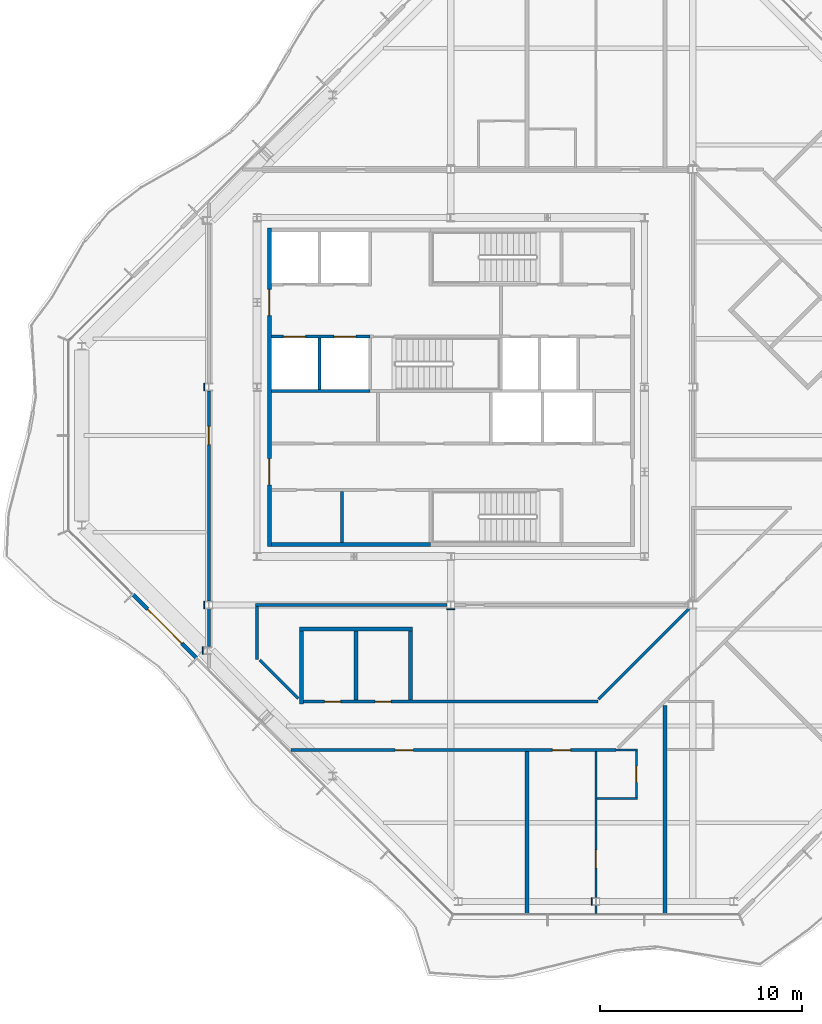
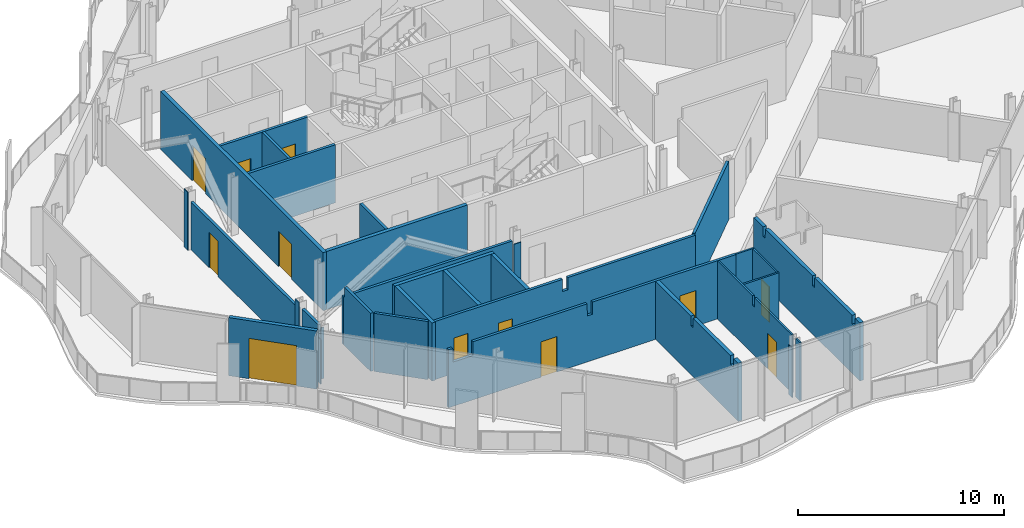
# One storey, part 7 of 16: 31 walls, 12 doors, 12 openings.
"""IFC4 building model written with IfcOpenShell, lengths in metres."""

import ifcopenshell
import ifcopenshell.guid

model = None  # the IFC model being written
_history = None  # IfcOwnerHistory: only IFC2X3 demands one
_inside = {}  # id of a spatial element -> (the spatial element, [elements in it])
_under = {}  # id of a project, library or spatial element -> (it, [spatial elements below it])
_declared = {}  # id of a project -> (the project, [libraries it declares])
_typed = {}  # id of a type object -> (the type object, [elements of that type])
_made_of = {}  # id of a material, layer set ... -> (it, [elements and type objects made of it])


def new_model(schema):
    """Start an empty IFC model of exactly this schema.

    Asked for "IFC4X3", IfcOpenShell would pick the latest addendum, in which some entities
    have other attributes; the version numbers below select the first issue.
    IFC2X3 requires an IfcOwnerHistory on every rooted entity: one is made here for all.
    """
    global model, _history
    if schema == "IFC4X3":
        model = ifcopenshell.file(schema_version=(4, 3, 0, 0))
    else:
        model = ifcopenshell.file(schema=schema)
    _inside.clear()
    _under.clear()
    _declared.clear()
    _typed.clear()
    _made_of.clear()
    _history = None
    if model.schema == "IFC2X3":
        org = make("IfcOrganization", Name="unknown")
        user = make(
            "IfcPersonAndOrganization",
            ThePerson=make("IfcPerson", FamilyName="unknown"),
            TheOrganization=org,
        )
        app = make(
            "IfcApplication",
            ApplicationDeveloper=org,
            Version="unknown",
            ApplicationFullName="unknown",
            ApplicationIdentifier="unknown",
        )
        _history = make(
            "IfcOwnerHistory",
            OwningUser=user,
            OwningApplication=app,
            ChangeAction="ADDED",
            CreationDate=0,
        )
    return model


def make(cls, **values):
    """One entity of the class cls with the attributes given. An attribute that is None is left unset."""
    return model.create_entity(
        cls, **{name: value for name, value in values.items() if value is not None}
    )


def rooted(cls, **values):
    """An entity with a GlobalId (a new one), such as an element, a storey or a relation."""
    return make(cls, GlobalId=ifcopenshell.guid.new(), OwnerHistory=_history, **values)


def si_unit(unit_type, name, prefix=None):
    """IfcSIUnit, for example si_unit("LENGTHUNIT", "METRE", prefix="MILLI")."""
    return make("IfcSIUnit", UnitType=unit_type, Prefix=prefix, Name=name)


def assignment(units):
    """IfcUnitAssignment: the units of a project."""
    return None if units is None else make("IfcUnitAssignment", Units=units)


def point(xyz):
    """IfcCartesianPoint."""
    return None if xyz is None else make("IfcCartesianPoint", Coordinates=xyz)


def direction(xyz):
    """IfcDirection."""
    return None if xyz is None else make("IfcDirection", DirectionRatios=xyz)


def frame(location, z_axis=None, x_axis=None):
    """IfcAxis2Placement3D, a coordinate frame: its origin and axes. An axis left out is left unset."""
    return make(
        "IfcAxis2Placement3D",
        Location=point(location),
        Axis=direction(z_axis),
        RefDirection=direction(x_axis),
    )


def frame_2d(location, x_axis=None):
    """IfcAxis2Placement2D, a coordinate frame in the plane: its origin and x axis."""
    return make(
        "IfcAxis2Placement2D", Location=point(location), RefDirection=direction(x_axis)
    )


def origin():
    """The frame at (0, 0, 0) with its axes left unset."""
    return frame((0.0, 0.0, 0.0))


def place(relative_to, where):
    """IfcLocalPlacement: puts the frame where relative to a parent placement (None: the world)."""
    return make(
        "IfcLocalPlacement", PlacementRelTo=relative_to, RelativePlacement=where
    )


def context(
    kind, dimensions, precision=None, world=None, true_north=None, identifier=None
):
    """IfcGeometricRepresentationContext, for example the 3D "Model" context."""
    return make(
        "IfcGeometricRepresentationContext",
        ContextIdentifier=identifier,
        ContextType=kind,
        CoordinateSpaceDimension=dimensions,
        Precision=precision,
        WorldCoordinateSystem=world,
        TrueNorth=true_north,
    )


def subcontext(parent, identifier, kind, view, scale=None):
    """IfcGeometricRepresentationSubContext, for example "Body" below "Model"."""
    return make(
        "IfcGeometricRepresentationSubContext",
        ContextIdentifier=identifier,
        ContextType=kind,
        ParentContext=parent,
        TargetScale=scale,
        TargetView=view,
    )


def project(units=None, contexts=None):
    """IfcProject with its units and contexts."""
    return rooted(
        "IfcProject",
        Name="project",
        RepresentationContexts=contexts,
        UnitsInContext=assignment(units),
    )


def spatial(cls, under=None, at=None, **own):
    """A site, building, storey or space (cls), placed at a placement, below another one or the project."""
    s = rooted(cls, ObjectPlacement=at, **own)
    if under is not None:
        _under.setdefault(under.id(), (under, []))[1].append(s)
    return s


def polyline(points):
    """IfcPolyline through the points."""
    return make("IfcPolyline", Points=[point(p) for p in points])


def profile(cls, at=None, kind="AREA", **sizes):
    """A parametric profile (cls). Its sizes go by their IFC names, for example OverallWidth=200.0."""
    return make(cls, ProfileType=kind, Position=at, **sizes)


def rectangle(**sizes):
    """IfcRectangleProfileDef."""
    return profile("IfcRectangleProfileDef", **sizes)


def outline(outer, holes=None, kind="AREA"):
    """IfcArbitraryClosedProfileDef: a profile drawn as a closed curve; with holes, ...WithVoids."""
    if holes is None:
        return make("IfcArbitraryClosedProfileDef", ProfileType=kind, OuterCurve=outer)
    return make(
        "IfcArbitraryProfileDefWithVoids",
        ProfileType=kind,
        OuterCurve=outer,
        InnerCurves=holes,
    )


def extrude(swept, where, along, depth):
    """IfcExtrudedAreaSolid: the profile swept, set in the frame where, extruded along a direction by depth."""
    return make(
        "IfcExtrudedAreaSolid",
        SweptArea=swept,
        Position=where,
        ExtrudedDirection=direction(along),
        Depth=depth,
    )


def shape(context_of_items, identifier, shape_type, items):
    """IfcShapeRepresentation: the items that make up one representation, for example the "Body"."""
    return make(
        "IfcShapeRepresentation",
        ContextOfItems=context_of_items,
        RepresentationIdentifier=identifier,
        RepresentationType=shape_type,
        Items=items,
    )


def material(Name=None, Category=None):
    """IfcMaterial."""
    return make("IfcMaterial", Name=Name, Category=Category)


def layer(
    of_material, thickness, ventilated=None, Name=None, Category=None, Priority=None
):
    """IfcMaterialLayer: one layer of a wall or slab, of a material (None: an air gap)."""
    return make(
        "IfcMaterialLayer",
        Material=of_material,
        LayerThickness=thickness,
        IsVentilated=ventilated,
        Name=Name,
        Category=Category,
        Priority=Priority,
    )


def layer_set(layers, Name=None):
    """IfcMaterialLayerSet."""
    return make("IfcMaterialLayerSet", MaterialLayers=layers, LayerSetName=Name)


def made_of(thing, what):
    """Note that an element or type object is made of a material, layer set ...; save() writes the relation."""
    if what is not None:
        _made_of.setdefault(what.id(), (what, []))[1].append(thing)
    return thing


def type_object(cls, material=None, **own):
    """A type object (cls), such as IfcWallType, which elements share."""
    return made_of(rooted(cls, **own), material)


def element(
    cls,
    number,
    at=None,
    inside=None,
    cuts=None,
    type_object=None,
    material=None,
    context=None,
    identifier="Body",
    shape_type=None,
    held_by="IfcProductDefinitionShape",
    body=None,
    shapes=None,
    **own,
):
    """One element of the class cls, such as IfcWall. Its Tag is "e" and its number.

    at: its placement. inside: the storey or other place that contains it. cuts: it is an
    opening in that element (IfcRelVoidsElement). A single representation is given by context,
    identifier, shape_type and body (its items); several are given by shapes. held_by: the class
    of the entity that holds the representations. save() writes the other relations.
    """
    e = rooted(cls, Tag="e%d" % number, ObjectPlacement=at, **own)
    if body is not None:
        shapes = [shape(context, identifier, shape_type, body)]
    if shapes is not None:
        e.Representation = make(held_by, Representations=shapes)
    if inside is not None:
        _inside.setdefault(inside.id(), (inside, []))[1].append(e)
    if cuts is not None:
        rooted(
            "IfcRelVoidsElement", RelatingBuildingElement=cuts, RelatedOpeningElement=e
        )
    if type_object is not None:
        _typed.setdefault(type_object.id(), (type_object, []))[1].append(e)
    return made_of(e, material)


def fill(opening, filler):
    """IfcRelFillsElement: the door or window that sits in an opening."""
    return rooted(
        "IfcRelFillsElement",
        RelatingOpeningElement=opening,
        RelatedBuildingElement=filler,
    )


def aggregate(whole, parts):
    """IfcRelAggregates: a whole, such as a stair, and the parts it consists of."""
    return rooted("IfcRelAggregates", RelatingObject=whole, RelatedObjects=parts)


def save(model, path):
    """Write the relations noted so far, then the file.

    IfcRelAggregates (storeys below a building ...), IfcRelContainedInSpatialStructure (elements
    in a storey), IfcRelDefinesByType, IfcRelAssociatesMaterial and IfcRelDeclares: one each for
    every whole, place, type object, material and project.
    """
    for whole, parts in _under.values():
        aggregate(whole, parts)
    for where, things in _inside.values():
        rooted(
            "IfcRelContainedInSpatialStructure",
            RelatedElements=things,
            RelatingStructure=where,
        )
    for kind, things in _typed.values():
        rooted("IfcRelDefinesByType", RelatedObjects=things, RelatingType=kind)
    for what, things in _made_of.values():
        rooted("IfcRelAssociatesMaterial", RelatedObjects=things, RelatingMaterial=what)
    for by, libraries in _declared.values():
        rooted("IfcRelDeclares", RelatingContext=by, RelatedDefinitions=libraries)
    model.write(path)


model = new_model("IFC4")

# Units and contexts
model_context = context("Model", 3, precision=1e-05, world=origin(), true_north=direction((0.0, 1.0)))
body_context = subcontext(model_context, "Body", "Model", "MODEL_VIEW")
ifc_project = project(units=[si_unit("LENGTHUNIT", "METRE"), si_unit("AREAUNIT", "SQUARE_METRE"), si_unit("VOLUMEUNIT", "CUBIC_METRE"), si_unit("PLANEANGLEUNIT", "RADIAN"), si_unit("MASSUNIT", "GRAM", prefix="KILO")], contexts=[model_context])

# Site, building, storey
site_placement = place(None, origin())
site = spatial("IfcSite", under=ifc_project, at=site_placement, CompositionType="ELEMENT")
building_placement = place(site_placement, origin())
building = spatial("IfcBuilding", under=site, at=building_placement, Name="Cairn Pilgrim Tower", CompositionType="ELEMENT")
storey_placement = place(building_placement, frame((0.0, 0.0, 285.0)))
storey = spatial("IfcBuildingStorey", under=building, at=storey_placement, Name="L73", CompositionType="ELEMENT", Elevation=285.0)

# Wall, opening, door
ifc_material_1 = material(Name="Bronze anodised aluminium insulated sandwich panel with mineral wool fill", Category="aluminium")
ifc_layer_1 = layer(ifc_material_1, 0.199951171875)
ifc_layer_set_1 = layer_set([ifc_layer_1], Name="BRONZE INFILL FRAME WALL 200")
wall_type_1 = type_object("IfcWallType", Name="BRONZE INFILL FRAME WALL 200", PredefinedType="NOTDEFINED", material=ifc_layer_set_1)
wall_1_placement = place(storey_placement, frame((-8.55322265625, -7.893310546875, 0.0), z_axis=(0.0, 0.0, 1.0), x_axis=(0.707134329907, -0.707079231393, 0.0)))
wall_1 = element("IfcWall", 1, at=wall_1_placement, inside=storey, type_object=wall_type_1, Name="Bronze infill frame wall IW-SW2", PredefinedType="NOTDEFINED", context=body_context, shape_type="SweptSolid", body=[
    extrude(rectangle(XDim=4.430908203125, YDim=0.199951171875, at=frame_2d((2.21533203125, 0.0))), origin(), (0.0, 0.0, 1.0), 3.449951171875),
])
opening_1_placement = place(wall_1_placement, frame((1.015380859375, 0.0, 0.0)))
opening_1 = element("IfcOpeningElement", 2, at=opening_1_placement, cuts=wall_1, Name="Opening 7308B2", PredefinedType="OPENING", context=body_context, shape_type="SweptSolid", body=[
    extrude(rectangle(XDim=2.39990234375, YDim=2.39990234375, at=frame_2d((1.199951171875, 1.199951171875))), frame((0.0, 0.10986328125, 0.0), z_axis=(0.0, -1.0, 0.0), x_axis=(1.0, 0.0, 0.0)), (0.0, 0.0, 1.0), 0.219970703125),
])
ifc_material_2 = material(Name="Bronze anodised aluminium frame with tinted low-E glass", Category="aluminium")
door_type_1 = type_object("IfcDoorType", Name="BALCONY SLIDING DOOR 2400x2400", OperationType="DOUBLE_DOOR_SLIDING", PredefinedType="DOOR", material=ifc_material_2)
door_1_placement = place(opening_1_placement, origin())
door_1 = element("IfcDoor", 3, at=door_1_placement, inside=storey, type_object=door_type_1, Name="Balcony sliding door 7308B2", OperationType="SINGLE_SWING_LEFT", OverallHeight=2.39990234375, OverallWidth=2.39990234375, PredefinedType="DOOR", context=body_context, shape_type="SweptSolid", body=[
    extrude(rectangle(XDim=2.39990234375, YDim=2.39990234375, at=frame_2d((1.199951171875, 1.199951171875))), frame((0.0, 0.02490234375, 0.0), z_axis=(0.0, -1.0, 0.0), x_axis=(1.0, 0.0, 0.0)), (0.0, 0.0, 1.0), 0.050048828125),
])
fill(opening_1, door_1)

# Wall
ifc_material_3 = material(Name="Concrete C32/40", Category="concrete")
ifc_layer_2 = layer(ifc_material_3, 0.199951171875)
ifc_layer_set_2 = layer_set([ifc_layer_2], Name="CORE OUTER WALL 200 EI 120")
wall_type_2 = type_object("IfcWallType", Name="CORE OUTER WALL 200 EI 120", PredefinedType="SOLIDWALL", material=ifc_layer_set_2)
wall_2_placement = place(storey_placement, frame((-1.699951171875, -5.39990234375, 0.0), z_axis=(0.0, 0.0, 1.0), x_axis=(1.0, 0.0, 0.0)))
element("IfcWall", 4, at=wall_2_placement, inside=storey, type_object=wall_type_2, Name="CW:L73:H01-1", PredefinedType="SOLIDWALL", context=body_context, shape_type="SweptSolid", body=[
    extrude(rectangle(XDim=7.89990234375, YDim=0.199951171875, at=frame_2d((3.949951171875, 0.0))), origin(), (0.0, 0.0, 1.0), 3.449951171875),
])

# Wall, openings, doors
wall_3_placement = place(storey_placement, frame((-1.800048828125, -5.5, 0.0), z_axis=(0.0, 0.0, 1.0), x_axis=(0.0, 1.0, 0.0)))
wall_3 = element("IfcWall", 5, at=wall_3_placement, inside=storey, type_object=wall_type_2, Name="CW:L73:V13", PredefinedType="SOLIDWALL", context=body_context, shape_type="SweptSolid", body=[
    extrude(rectangle(XDim=15.800048828125, YDim=0.199951171875, at=frame_2d((7.89990234375, 0.0))), origin(), (0.0, 0.0, 1.0), 3.449951171875),
])
opening_2_placement = place(wall_3_placement, frame((3.050048828125, 0.0, 0.0)))
opening_2 = element("IfcOpeningElement", 6, at=opening_2_placement, cuts=wall_3, Name="Opening CD-W1", PredefinedType="OPENING", context=body_context, shape_type="SweptSolid", body=[
    extrude(rectangle(XDim=1.300048828125, YDim=2.10009765625, at=frame_2d((0.64990234375, 1.050048828125))), frame((0.0, 0.10986328125, 0.0), z_axis=(0.0, -1.0, 0.0), x_axis=(1.0, 0.0, 0.0)), (0.0, 0.0, 1.0), 0.219970703125),
])
opening_3_placement = place(wall_3_placement, frame((11.449951171875, 0.0, 0.0)))
opening_3 = element("IfcOpeningElement", 7, at=opening_3_placement, cuts=wall_3, Name="Opening CD-W2", PredefinedType="OPENING", context=body_context, shape_type="SweptSolid", body=[
    extrude(rectangle(XDim=1.300048828125, YDim=2.10009765625, at=frame_2d((0.64990234375, 1.050048828125))), frame((0.0, 0.10986328125, 0.0), z_axis=(0.0, -1.0, 0.0), x_axis=(1.0, 0.0, 0.0)), (0.0, 0.0, 1.0), 0.219970703125),
])
ifc_material_4 = material(Name="Painted steel", Category="steel")
door_type_2 = type_object("IfcDoorType", Name="CORE LOBBY DOOR 1300x2100", OperationType="DOUBLE_DOOR_SINGLE_SWING", PredefinedType="DOOR", material=ifc_material_4)
door_2_placement = place(opening_2_placement, origin())
door_2 = element("IfcDoor", 8, at=door_2_placement, inside=storey, type_object=door_type_2, Name="CD-W1", OperationType="DOUBLE_DOOR_SINGLE_SWING", OverallHeight=2.10009765625, OverallWidth=1.300048828125, PredefinedType="DOOR", context=body_context, shape_type="SweptSolid", body=[
    extrude(rectangle(XDim=1.300048828125, YDim=2.10009765625, at=frame_2d((0.64990234375, 1.050048828125))), frame((0.0, 0.02490234375, 0.0), z_axis=(0.0, -1.0, 0.0), x_axis=(1.0, 0.0, 0.0)), (0.0, 0.0, 1.0), 0.050048828125),
])
fill(opening_2, door_2)
door_3_placement = place(opening_3_placement, origin())
door_3 = element("IfcDoor", 9, at=door_3_placement, inside=storey, type_object=door_type_2, Name="CD-W2", OperationType="DOUBLE_DOOR_SINGLE_SWING", OverallHeight=2.10009765625, OverallWidth=1.300048828125, PredefinedType="DOOR", context=body_context, shape_type="SweptSolid", body=[
    extrude(rectangle(XDim=1.300048828125, YDim=2.10009765625, at=frame_2d((0.64990234375, 1.050048828125))), frame((0.0, 0.02490234375, 0.0), z_axis=(0.0, -1.0, 0.0), x_axis=(1.0, 0.0, 0.0)), (0.0, 0.0, 1.0), 0.050048828125),
])
fill(opening_3, door_3)

# Walls
ifc_layer_3 = layer(ifc_material_3, 0.14990234375)
ifc_layer_set_3 = layer_set([ifc_layer_3], Name="CORE PARTITION 150 EI 60")
wall_type_3 = type_object("IfcWallType", Name="CORE PARTITION 150 EI 60", PredefinedType="PARTITIONING", material=ifc_layer_set_3)
wall_4_placement = place(storey_placement, frame((1.800048828125, -5.300048828125, 0.0), z_axis=(0.0, 0.0, 1.0), x_axis=(0.0, 1.0, 0.0)))
element("IfcWall", 10, at=wall_4_placement, inside=storey, type_object=wall_type_3, Name="CW:L73:V16", PredefinedType="PARTITIONING", context=body_context, shape_type="SweptSolid", body=[
    extrude(rectangle(XDim=2.525146484375, YDim=0.14990234375, at=frame_2d((1.2626953125, 0.0))), origin(), (0.0, 0.0, 1.0), 3.449951171875),
])
ifc_layer_4 = layer(ifc_material_3, 0.14990234375)
ifc_layer_set_4 = layer_set([ifc_layer_4], Name="CORE SHAFT WALL 150 EI 120")
wall_type_4 = type_object("IfcWallType", Name="CORE SHAFT WALL 150 EI 120", PredefinedType="SOLIDWALL", material=ifc_layer_set_4)
wall_5_placement = place(storey_placement, frame((-1.699951171875, 2.199951171875, 0.0), z_axis=(0.0, 0.0, 1.0), x_axis=(1.0, 0.0, 0.0)))
element("IfcWall", 11, at=wall_5_placement, inside=storey, type_object=wall_type_4, Name="CW:L73:H07-1", PredefinedType="SOLIDWALL", context=body_context, shape_type="SweptSolid", body=[
    extrude(rectangle(XDim=4.89990234375, YDim=0.14990234375, at=frame_2d((2.449951171875, 0.0))), origin(), (0.0, 0.0, 1.0), 3.449951171875),
])

# Wall, openings, doors
wall_6_placement = place(storey_placement, frame((-1.699951171875, 4.89990234375, 0.0), z_axis=(0.0, 0.0, 1.0), x_axis=(1.0, 0.0, 0.0)))
wall_6 = element("IfcWall", 12, at=wall_6_placement, inside=storey, type_object=wall_type_4, Name="CW:L73:H09-1", PredefinedType="SOLIDWALL", context=body_context, shape_type="SweptSolid", body=[
    extrude(rectangle(XDim=4.89990234375, YDim=0.14990234375, at=frame_2d((2.449951171875, 0.0))), origin(), (0.0, 0.0, 1.0), 3.449951171875),
])
opening_4_placement = place(wall_6_placement, frame((0.60009765625, 0.0, 0.0)))
opening_4 = element("IfcOpeningElement", 13, at=opening_4_placement, cuts=wall_6, Name="Opening LD-HR1", PredefinedType="OPENING", context=body_context, shape_type="SweptSolid", body=[
    extrude(rectangle(XDim=1.10009765625, YDim=2.10009765625, at=frame_2d((0.550048828125, 1.050048828125))), frame((0.0, 0.0849609375, 0.0), z_axis=(0.0, -1.0, 0.0), x_axis=(1.0, 0.0, 0.0)), (0.0, 0.0, 1.0), 0.169921875),
])
opening_5_placement = place(wall_6_placement, frame((3.10009765625, 0.0, 0.0)))
opening_5 = element("IfcOpeningElement", 14, at=opening_5_placement, cuts=wall_6, Name="Opening LD-HR2", PredefinedType="OPENING", context=body_context, shape_type="SweptSolid", body=[
    extrude(rectangle(XDim=1.10009765625, YDim=2.10009765625, at=frame_2d((0.550048828125, 1.050048828125))), frame((0.0, 0.0849609375, 0.0), z_axis=(0.0, -1.0, 0.0), x_axis=(1.0, 0.0, 0.0)), (0.0, 0.0, 1.0), 0.169921875),
])
ifc_material_5 = material(Name="Stainless steel", Category="steel")
door_type_3 = type_object("IfcDoorType", Name="LIFT LANDING DOOR 1100x2100", OperationType="DOUBLE_DOOR_SLIDING", PredefinedType="DOOR", material=ifc_material_5)
door_4_placement = place(opening_4_placement, origin())
door_4 = element("IfcDoor", 15, at=door_4_placement, inside=storey, type_object=door_type_3, Name="LANDING DOOR HR1", OperationType="DOUBLE_DOOR_SLIDING", OverallHeight=2.10009765625, OverallWidth=1.10009765625, PredefinedType="DOOR", context=body_context, shape_type="SweptSolid", body=[
    extrude(rectangle(XDim=1.10009765625, YDim=2.10009765625, at=frame_2d((0.550048828125, 1.050048828125))), frame((0.0, 0.02490234375, 0.0), z_axis=(0.0, -1.0, 0.0), x_axis=(1.0, 0.0, 0.0)), (0.0, 0.0, 1.0), 0.050048828125),
])
fill(opening_4, door_4)
door_5_placement = place(opening_5_placement, origin())
door_5 = element("IfcDoor", 16, at=door_5_placement, inside=storey, type_object=door_type_3, Name="LANDING DOOR HR2", OperationType="DOUBLE_DOOR_SLIDING", OverallHeight=2.10009765625, OverallWidth=1.10009765625, PredefinedType="DOOR", context=body_context, shape_type="SweptSolid", body=[
    extrude(rectangle(XDim=1.10009765625, YDim=2.10009765625, at=frame_2d((0.550048828125, 1.050048828125))), frame((0.0, 0.02490234375, 0.0), z_axis=(0.0, -1.0, 0.0), x_axis=(1.0, 0.0, 0.0)), (0.0, 0.0, 1.0), 0.050048828125),
])
fill(opening_5, door_5)

# Walls
wall_7_placement = place(storey_placement, frame((0.699951171875, 2.27490234375, 0.0), z_axis=(0.0, 0.0, 1.0), x_axis=(0.0, 1.0, 0.0)))
element("IfcWall", 17, at=wall_7_placement, inside=storey, type_object=wall_type_4, Name="CW:L73:V14", PredefinedType="SOLIDWALL", context=body_context, shape_type="SweptSolid", body=[
    extrude(rectangle(XDim=2.550048828125, YDim=0.14990234375, at=frame_2d((1.27490234375, 0.0))), origin(), (0.0, 0.0, 1.0), 3.449951171875),
])
ifc_material_6 = material(Name="Gypsum partition")
ifc_layer_5 = layer(ifc_material_6, 0.10009765625)
ifc_layer_set_5 = layer_set([ifc_layer_5], Name="PARTITION 100 DRYWALL")
wall_type_5 = type_object("IfcWallType", Name="PARTITION 100 DRYWALL", PredefinedType="PARTITIONING", material=ifc_layer_set_5)
wall_8_placement = place(storey_placement, frame((14.39990234375, -23.702880859375, 0.0), z_axis=(0.0, 0.0, 1.0), x_axis=(0.0, 1.0, 0.0)))
element("IfcWall", 18, at=wall_8_placement, inside=storey, type_object=wall_type_5, Name="PARTITION W002", PredefinedType="PARTITIONING", context=body_context, shape_type="SweptSolid", body=[
    extrude(rectangle(XDim=0.4189453125, YDim=0.10009765625, at=frame_2d((0.20947265625, 0.0))), origin(), (0.0, 0.0, 1.0), 3.449951171875),
])

# Wall, opening, door
wall_9_placement = place(storey_placement, frame((14.39990234375, -22.916015625, 0.0), z_axis=(0.0, 0.0, 1.0), x_axis=(0.0, 1.0, 0.0)))
wall_9 = element("IfcWall", 19, at=wall_9_placement, inside=storey, type_object=wall_type_5, Name="PARTITION W004", PredefinedType="PARTITIONING", context=body_context, shape_type="SweptSolid", body=[
    extrude(outline(polyline([(0.0, 0.0), (7.240966796875, 0.0), (7.240966796875, 3.449951171875), (3.821044921875, 3.449951171875), (3.819091796875, 2.8798828125), (3.611083984375, 2.8798828125), (3.60888671875, 3.449951171875), (0.0, 3.449951171875), (0.0, 0.0)])), frame((0.0, 0.050048828125, 0.0), z_axis=(0.0, -1.0, 0.0), x_axis=(1.0, 0.0, 0.0)), (0.0, 0.0, 1.0), 0.10009765625),
])
opening_6_placement = place(wall_9_placement, frame((1.466064453125, 0.0, 0.0)))
opening_6 = element("IfcOpeningElement", 20, at=opening_6_placement, cuts=wall_9, Name="Opening 7309C", PredefinedType="OPENING", context=body_context, shape_type="SweptSolid", body=[
    extrude(rectangle(XDim=0.89990234375, YDim=2.10009765625, at=frame_2d((0.449951171875, 1.050048828125))), frame((0.0, 0.06005859375, 0.0), z_axis=(0.0, -1.0, 0.0), x_axis=(1.0, 0.0, 0.0)), (0.0, 0.0, 1.0), 0.1201171875),
])
ifc_material_7 = material(Name="Timber door leaf", Category="wood")
door_type_4 = type_object("IfcDoorType", Name="SERVICE DOOR 900x2100", OperationType="NOTDEFINED", PredefinedType="DOOR", material=ifc_material_7)
door_6_placement = place(opening_6_placement, origin())
door_6 = element("IfcDoor", 21, at=door_6_placement, inside=storey, type_object=door_type_4, Name="DOOR 7309C", OperationType="SINGLE_SWING_LEFT", OverallHeight=2.10009765625, OverallWidth=0.89990234375, PredefinedType="DOOR", context=body_context, shape_type="SweptSolid", body=[
    extrude(rectangle(XDim=0.89990234375, YDim=2.10009765625, at=frame_2d((0.449951171875, 1.050048828125))), frame((0.0, 0.02490234375, 0.0), z_axis=(0.0, -1.0, 0.0), x_axis=(1.0, 0.0, 0.0)), (0.0, 0.0, 1.0), 0.050048828125),
])
fill(opening_6, door_6)

# Wall
wall_10_placement = place(storey_placement, frame((14.449951171875, -18.0, 0.0), z_axis=(0.0, 0.0, 1.0), x_axis=(1.0, 0.0, 0.0)))
element("IfcWall", 22, at=wall_10_placement, inside=storey, type_object=wall_type_5, Name="PARTITION W005", PredefinedType="PARTITIONING", context=body_context, shape_type="SweptSolid", body=[
    extrude(rectangle(XDim=2.0, YDim=0.10009765625, at=frame_2d((1.0, 0.0))), origin(), (0.0, 0.0, 1.0), 3.449951171875),
])

# Wall, opening, door
wall_11_placement = place(storey_placement, frame((16.39990234375, -17.949951171875, 0.0), z_axis=(0.0, 0.0, 1.0), x_axis=(0.0, 1.0, 0.0)))
wall_11 = element("IfcWall", 23, at=wall_11_placement, inside=storey, type_object=wall_type_5, Name="PARTITION W006", PredefinedType="PARTITIONING", context=body_context, shape_type="SweptSolid", body=[
    extrude(rectangle(XDim=2.300048828125, YDim=0.10009765625, at=frame_2d((1.14990234375, 0.0))), origin(), (0.0, 0.0, 1.0), 3.449951171875),
])
opening_7_placement = place(wall_11_placement, frame((0.75, 0.0, 0.0)))
opening_7 = element("IfcOpeningElement", 24, at=opening_7_placement, cuts=wall_11, Name="Opening 7309A", PredefinedType="OPENING", context=body_context, shape_type="SweptSolid", body=[
    extrude(rectangle(XDim=0.800048828125, YDim=2.10009765625, at=frame_2d((0.39990234375, 1.050048828125))), frame((0.0, 0.06005859375, 0.0), z_axis=(0.0, -1.0, 0.0), x_axis=(1.0, 0.0, 0.0)), (0.0, 0.0, 1.0), 0.1201171875),
])
door_type_5 = type_object("IfcDoorType", Name="WC DOOR 800x2100", OperationType="NOTDEFINED", PredefinedType="DOOR", material=ifc_material_7)
door_7_placement = place(opening_7_placement, frame((0.800048828125, 0.0, 0.0), z_axis=(0.0, 0.0, 1.0), x_axis=(-1.0, 0.0, 0.0)))
door_7 = element("IfcDoor", 25, at=door_7_placement, inside=storey, type_object=door_type_5, Name="DOOR 7309A", OperationType="SINGLE_SWING_LEFT", OverallHeight=2.10009765625, OverallWidth=0.800048828125, PredefinedType="DOOR", context=body_context, shape_type="SweptSolid", body=[
    extrude(rectangle(XDim=0.800048828125, YDim=2.10009765625, at=frame_2d((0.39990234375, 1.050048828125))), frame((0.0, 0.02490234375, 0.0), z_axis=(0.0, -1.0, 0.0), x_axis=(1.0, 0.0, 0.0)), (0.0, 0.0, 1.0), 0.050048828125),
])
fill(opening_7, door_7)

# Wall
wall_12_placement = place(storey_placement, frame((15.39404296875, -15.60009765625, 0.0), z_axis=(0.0, 0.0, 1.0), x_axis=(1.0, 0.0, 0.0)))
element("IfcWall", 26, at=wall_12_placement, inside=storey, type_object=wall_type_5, Name="PARTITION W010", PredefinedType="PARTITIONING", context=body_context, shape_type="SweptSolid", body=[
    extrude(rectangle(XDim=1.055908203125, YDim=0.10009765625, at=frame_2d((0.52783203125, 0.0))), origin(), (0.0, 0.0, 1.0), 3.449951171875),
])

# Wall, openings, doors
ifc_layer_6 = layer(ifc_material_6, 0.14990234375)
ifc_layer_set_6 = layer_set([ifc_layer_6], Name="PARTITION 150 DRYWALL EI 60")
wall_type_6 = type_object("IfcWallType", Name="PARTITION 150 DRYWALL EI 60", PredefinedType="PARTITIONING", material=ifc_layer_set_6)
wall_13_placement = place(storey_placement, frame((-0.72607421875, -15.60009765625, 0.0), z_axis=(0.0, 0.0, 1.0), x_axis=(1.0, 0.0, 0.0)))
wall_13 = element("IfcWall", 27, at=wall_13_placement, inside=storey, type_object=wall_type_6, Name="PARTITION W009", PredefinedType="PARTITIONING", context=body_context, shape_type="SweptSolid", body=[
    extrude(outline(polyline([(0.0, 0.0), (16.1201171875, 0.0), (16.1201171875, 3.449951171875), (8.076171875, 3.449951171875), (8.07421875, 2.72998046875), (7.776123046875, 2.72998046875), (7.774169921875, 3.449951171875), (1.368896484375, 3.449951171875), (1.366943359375, 2.6298828125), (0.22900390625, 2.6298828125), (0.226806640625, 3.449951171875), (0.0, 3.449951171875), (0.0, 0.0)])), frame((0.0, 0.074951171875, 0.0), z_axis=(0.0, -1.0, 0.0), x_axis=(1.0, 0.0, 0.0)), (0.0, 0.0, 1.0), 0.14990234375),
])
opening_8_placement = place(wall_13_placement, frame((12.968994140625, 0.0, 0.0)))
opening_8 = element("IfcOpeningElement", 28, at=opening_8_placement, cuts=wall_13, Name="Opening 7309", PredefinedType="OPENING", context=body_context, shape_type="SweptSolid", body=[
    extrude(rectangle(XDim=0.89990234375, YDim=2.10009765625, at=frame_2d((0.449951171875, 1.050048828125))), frame((0.0, 0.0849609375, 0.0), z_axis=(0.0, -1.0, 0.0), x_axis=(1.0, 0.0, 0.0)), (0.0, 0.0, 1.0), 0.169921875),
])
opening_9_placement = place(wall_13_placement, frame((5.169189453125, 0.0, 0.0)))
opening_9 = element("IfcOpeningElement", 29, at=opening_9_placement, cuts=wall_13, Name="Opening 7318", PredefinedType="OPENING", context=body_context, shape_type="SweptSolid", body=[
    extrude(rectangle(XDim=0.89990234375, YDim=2.10009765625, at=frame_2d((0.449951171875, 1.050048828125))), frame((0.0, 0.0849609375, 0.0), z_axis=(0.0, -1.0, 0.0), x_axis=(1.0, 0.0, 0.0)), (0.0, 0.0, 1.0), 0.169921875),
])
door_type_6 = type_object("IfcDoorType", Name="ROOM DOOR 900x2100 FD30S", OperationType="NOTDEFINED", PredefinedType="DOOR", material=ifc_material_7)
door_8_placement = place(opening_8_placement, frame((0.89990234375, 0.0, 0.0), z_axis=(0.0, 0.0, 1.0), x_axis=(-1.0, 0.0, 0.0)))
door_8 = element("IfcDoor", 30, at=door_8_placement, inside=storey, type_object=door_type_6, Name="DOOR 7309", OperationType="SINGLE_SWING_LEFT", OverallHeight=2.10009765625, OverallWidth=0.89990234375, PredefinedType="DOOR", context=body_context, shape_type="SweptSolid", body=[
    extrude(rectangle(XDim=0.89990234375, YDim=2.10009765625, at=frame_2d((0.449951171875, 1.050048828125))), frame((0.0, 0.02490234375, 0.0), z_axis=(0.0, -1.0, 0.0), x_axis=(1.0, 0.0, 0.0)), (0.0, 0.0, 1.0), 0.050048828125),
])
fill(opening_8, door_8)
door_type_7 = type_object("IfcDoorType", Name="SERVICE DOOR 900x2100 FD30S", OperationType="NOTDEFINED", PredefinedType="DOOR", material=ifc_material_7)
door_9_placement = place(opening_9_placement, frame((0.89990234375, 0.0, 0.0), z_axis=(0.0, 0.0, 1.0), x_axis=(-1.0, 0.0, 0.0)))
door_9 = element("IfcDoor", 31, at=door_9_placement, inside=storey, type_object=door_type_7, Name="DOOR 7318", OperationType="SINGLE_SWING_RIGHT", OverallHeight=2.10009765625, OverallWidth=0.89990234375, PredefinedType="DOOR", context=body_context, shape_type="SweptSolid", body=[
    extrude(rectangle(XDim=0.89990234375, YDim=2.10009765625, at=frame_2d((0.449951171875, 1.050048828125))), frame((0.0, 0.02490234375, 0.0), z_axis=(0.0, -1.0, 0.0), x_axis=(1.0, 0.0, 0.0)), (0.0, 0.0, 1.0), 0.050048828125),
])
fill(opening_9, door_9)

wall_14_placement = place(storey_placement, frame((-0.10595703125, -13.199951171875, 0.0), z_axis=(0.0, 0.0, 1.0), x_axis=(1.0, 0.0, 0.0)))
wall_14 = element("IfcWall", 32, at=wall_14_placement, inside=storey, type_object=wall_type_6, Name="PARTITION W015", PredefinedType="PARTITIONING", context=body_context, shape_type="SweptSolid", body=[
    extrude(outline(polyline([(0.0, 0.0), (14.612060546875, 0.0), (14.612060546875, 3.449951171875), (7.4560546875, 3.449951171875), (7.4541015625, 2.72998046875), (7.156005859375, 2.72998046875), (7.154052734375, 3.449951171875), (0.0, 3.449951171875), (0.0, 0.0)])), frame((0.0, 0.074951171875, 0.0), z_axis=(0.0, -1.0, 0.0), x_axis=(1.0, 0.0, 0.0)), (0.0, 0.0, 1.0), 0.14990234375),
])
opening_10_placement = place(wall_14_placement, frame((1.050048828125, 0.0, 0.0)))
opening_10 = element("IfcOpeningElement", 33, at=opening_10_placement, cuts=wall_14, Name="Opening 7311", PredefinedType="OPENING", context=body_context, shape_type="SweptSolid", body=[
    extrude(rectangle(XDim=0.800048828125, YDim=2.10009765625, at=frame_2d((0.39990234375, 1.050048828125))), frame((0.0, 0.0849609375, 0.0), z_axis=(0.0, -1.0, 0.0), x_axis=(1.0, 0.0, 0.0)), (0.0, 0.0, 1.0), 0.169921875),
])
opening_11_placement = place(wall_14_placement, frame((3.550048828125, 0.0, 0.0)))
opening_11 = element("IfcOpeningElement", 34, at=opening_11_placement, cuts=wall_14, Name="Opening 7313", PredefinedType="OPENING", context=body_context, shape_type="SweptSolid", body=[
    extrude(rectangle(XDim=0.800048828125, YDim=2.10009765625, at=frame_2d((0.39990234375, 1.050048828125))), frame((0.0, 0.0849609375, 0.0), z_axis=(0.0, -1.0, 0.0), x_axis=(1.0, 0.0, 0.0)), (0.0, 0.0, 1.0), 0.169921875),
])
door_type_8 = type_object("IfcDoorType", Name="WC DOOR 800x2100 FD30S", OperationType="NOTDEFINED", PredefinedType="DOOR", material=ifc_material_7)
door_10_placement = place(opening_10_placement, origin())
door_10 = element("IfcDoor", 35, at=door_10_placement, inside=storey, type_object=door_type_8, Name="DOOR 7311", OperationType="SINGLE_SWING_RIGHT", OverallHeight=2.10009765625, OverallWidth=0.800048828125, PredefinedType="DOOR", context=body_context, shape_type="SweptSolid", body=[
    extrude(rectangle(XDim=0.800048828125, YDim=2.10009765625, at=frame_2d((0.39990234375, 1.050048828125))), frame((0.0, 0.02490234375, 0.0), z_axis=(0.0, -1.0, 0.0), x_axis=(1.0, 0.0, 0.0)), (0.0, 0.0, 1.0), 0.050048828125),
])
fill(opening_10, door_10)
door_11_placement = place(opening_11_placement, origin())
door_11 = element("IfcDoor", 36, at=door_11_placement, inside=storey, type_object=door_type_8, Name="DOOR 7313", OperationType="SINGLE_SWING_RIGHT", OverallHeight=2.10009765625, OverallWidth=0.800048828125, PredefinedType="DOOR", context=body_context, shape_type="SweptSolid", body=[
    extrude(rectangle(XDim=0.800048828125, YDim=2.10009765625, at=frame_2d((0.39990234375, 1.050048828125))), frame((0.0, 0.02490234375, 0.0), z_axis=(0.0, -1.0, 0.0), x_axis=(1.0, 0.0, 0.0)), (0.0, 0.0, 1.0), 0.050048828125),
])
fill(opening_11, door_11)

# Walls
wall_15_placement = place(storey_placement, frame((14.528076171875, -13.072021484375, 0.0), z_axis=(0.0, 0.0, 1.0), x_axis=(0.707106781187, 0.707106781187, 0.0)))
element("IfcWall", 37, at=wall_15_placement, inside=storey, type_object=wall_type_6, Name="PARTITION W019", PredefinedType="PARTITIONING", context=body_context, shape_type="SweptSolid", body=[
    extrude(rectangle(XDim=6.335205078125, YDim=0.14990234375, at=frame_2d((3.16748046875, 0.0))), origin(), (0.0, 0.0, 1.0), 3.449951171875),
])
wall_16_placement = place(storey_placement, frame((-0.35888671875, -13.047119140625, 0.0), z_axis=(0.0, 0.0, 1.0), x_axis=(-0.707106781187, 0.707106781187, 0.0)))
element("IfcWall", 38, at=wall_16_placement, inside=storey, type_object=wall_type_6, Name="PARTITION W020", PredefinedType="PARTITIONING", context=body_context, shape_type="SweptSolid", body=[
    extrude(rectangle(XDim=2.70556640625, YDim=0.14990234375, at=frame_2d((1.352783203125, 0.0))), origin(), (0.0, 0.0, 1.0), 3.449951171875),
])
wall_17_placement = place(storey_placement, frame((-2.39990234375, -11.112060546875, 0.0), z_axis=(0.0, 0.0, 1.0), x_axis=(0.0, 1.0, 0.0)))
element("IfcWall", 39, at=wall_17_placement, inside=storey, type_object=wall_type_6, Name="PARTITION W023", PredefinedType="PARTITIONING", context=body_context, shape_type="SweptSolid", body=[
    extrude(outline(polyline([(0.0, 0.0), (2.636962890625, 0.0), (2.63720703125, 2.830078125), (2.56201171875, 2.830078125), (2.56005859375, 3.449951171875), (0.0, 3.449951171875), (0.0, 0.0)])), frame((0.0, 0.074951171875, 0.0), z_axis=(0.0, -1.0, 0.0), x_axis=(1.0, 0.0, 0.0)), (0.0, 0.0, 1.0), 0.14990234375),
])
wall_18_placement = place(storey_placement, frame((-4.800048828125, -10.467529296875, 0.0), z_axis=(0.0, 0.0, 1.0), x_axis=(0.0, 1.0, 0.0)))
element("IfcWall", 40, at=wall_18_placement, inside=storey, type_object=wall_type_6, Name="PARTITION W024", PredefinedType="PARTITIONING", context=body_context, shape_type="SweptSolid", body=[
    extrude(outline(polyline([(0.0, 0.0), (1.880126953125, 0.0), (1.8798828125, 3.030029296875), (0.310302734375, 3.030029296875), (0.30810546875, 2.6298828125), (0.065673828125, 2.6298828125), (0.063720703125, 3.030029296875), (0.0, 3.030029296875), (0.0, 0.0)])), frame((0.0, 0.074951171875, 0.0), z_axis=(0.0, -1.0, 0.0), x_axis=(1.0, 0.0, 0.0)), (0.0, 0.0, 1.0), 0.14990234375),
])
wall_19_placement = place(storey_placement, frame((-2.47509765625, -8.39990234375, 0.0), z_axis=(0.0, 0.0, 1.0), x_axis=(1.0, 0.0, 0.0)))
element("IfcWall", 41, at=wall_19_placement, inside=storey, type_object=wall_type_6, Name="PARTITION W027", PredefinedType="PARTITIONING", context=body_context, shape_type="SweptSolid", body=[
    extrude(rectangle(XDim=9.47802734375, YDim=0.14990234375, at=frame_2d((4.739013671875, 0.0))), origin(), (0.0, 0.0, 1.0), 2.830078125),
])

# Wall, opening, door
wall_20_placement = place(storey_placement, frame((-4.800048828125, -8.21240234375, 0.0), z_axis=(0.0, 0.0, 1.0), x_axis=(0.0, 1.0, 0.0)))
wall_20 = element("IfcWall", 42, at=wall_20_placement, inside=storey, type_object=wall_type_6, Name="PARTITION W029", PredefinedType="PARTITIONING", context=body_context, shape_type="SweptSolid", body=[
    extrude(rectangle(XDim=10.4248046875, YDim=0.14990234375, at=frame_2d((5.21240234375, 0.0))), origin(), (0.0, 0.0, 1.0), 2.830078125),
])
opening_12_placement = place(wall_20_placement, frame((7.762451171875, 0.0, 0.0)))
opening_12 = element("IfcOpeningElement", 43, at=opening_12_placement, cuts=wall_20, Name="Opening 7308", PredefinedType="OPENING", context=body_context, shape_type="SweptSolid", body=[
    extrude(rectangle(XDim=0.89990234375, YDim=2.10009765625, at=frame_2d((0.449951171875, 1.050048828125))), frame((0.0, 0.0849609375, 0.0), z_axis=(0.0, -1.0, 0.0), x_axis=(1.0, 0.0, 0.0)), (0.0, 0.0, 1.0), 0.169921875),
])
door_12_placement = place(opening_12_placement, origin())
door_12 = element("IfcDoor", 44, at=door_12_placement, inside=storey, type_object=door_type_6, Name="DOOR 7308", OperationType="SINGLE_SWING_LEFT", OverallHeight=2.10009765625, OverallWidth=0.89990234375, PredefinedType="DOOR", context=body_context, shape_type="SweptSolid", body=[
    extrude(rectangle(XDim=0.89990234375, YDim=2.10009765625, at=frame_2d((0.449951171875, 1.050048828125))), frame((0.0, 0.02490234375, 0.0), z_axis=(0.0, -1.0, 0.0), x_axis=(1.0, 0.0, 0.0)), (0.0, 0.0, 1.0), 0.050048828125),
])
fill(opening_12, door_12)

# Walls
ifc_layer_7 = layer(ifc_material_6, 0.050048828125)
ifc_layer_set_7 = layer_set([ifc_layer_7], Name="PARTITION 50 DRYWALL")
wall_type_7 = type_object("IfcWallType", Name="PARTITION 50 DRYWALL", PredefinedType="PARTITIONING", material=ifc_layer_set_7)
wall_21_placement = place(storey_placement, frame((14.179443359375, -23.283935546875, 0.0), z_axis=(0.0, 0.0, 1.0), x_axis=(0.0, 1.0, 0.0)))
element("IfcWall", 45, at=wall_21_placement, inside=storey, type_object=wall_type_7, Name="COLUMN CASING WC01", PredefinedType="PARTITIONING", context=body_context, shape_type="SweptSolid", body=[
    extrude(rectangle(XDim=0.367919921875, YDim=0.050048828125, at=frame_2d((0.18408203125, 0.0))), origin(), (0.0, 0.0, 1.0), 2.929931640625),
])
ifc_layer_8 = layer(ifc_material_6, 0.050048828125)
ifc_layer_set_8 = layer_set([ifc_layer_8], Name="PARTITION 50 DRYWALL EI 60")
wall_type_8 = type_object("IfcWallType", Name="PARTITION 50 DRYWALL EI 60", PredefinedType="PARTITIONING", material=ifc_layer_set_8)
wall_22_placement = place(storey_placement, frame((-5.09619140625, -10.83544921875, 0.0), z_axis=(0.0, 0.0, 1.0), x_axis=(0.0, 1.0, 0.0)))
element("IfcWall", 46, at=wall_22_placement, inside=storey, type_object=wall_type_8, Name="COLUMN CASING WC06", PredefinedType="PARTITIONING", context=body_context, shape_type="SweptSolid", body=[
    extrude(rectangle(XDim=0.367919921875, YDim=0.050048828125, at=frame_2d((0.18408203125, 0.0))), origin(), (0.0, 0.0, 1.0), 2.6298828125),
])
for number, where, z_axis, x_axis, name in (
    (47, (-5.02197265625, -8.58740234375, 0.0), (0.0, 0.0, 1.0), (0.0, 1.0, 0.0), "COLUMN CASING WC07"),
    (48, (-5.02197265625, 2.21240234375, 0.0), (0.0, 0.0, 1.0), (0.0, 1.0, 0.0), "COLUMN CASING WC08"),
):
    element("IfcWall", number, at=place(storey_placement, frame(where, z_axis=z_axis, x_axis=x_axis)), inside=storey, type_object=wall_type_8, Name=name, PredefinedType="PARTITIONING", context=body_context, shape_type="SweptSolid", body=[
        extrude(rectangle(XDim=0.375, YDim=0.050048828125, at=frame_2d((0.1875, 0.0))), origin(), (0.0, 0.0, 1.0), 3.449951171875),
    ])
wall_23_placement = place(storey_placement, frame((7.0029296875, -8.612548828125, 0.0), z_axis=(0.0, 0.0, 1.0), x_axis=(1.0, 0.0, 0.0)))
element("IfcWall", 49, at=wall_23_placement, inside=storey, type_object=wall_type_8, Name="COLUMN CASING WC10", PredefinedType="PARTITIONING", context=body_context, shape_type="SweptSolid", body=[
    extrude(rectangle(XDim=0.39404296875, YDim=0.050048828125, at=frame_2d((0.197021484375, 0.0))), origin(), (0.0, 0.0, 1.0), 2.72998046875),
])
ifc_layer_9 = layer(ifc_material_6, 0.199951171875)
ifc_layer_set_9 = layer_set([ifc_layer_9], Name="SHAFT WALL 200 GYPSUM EI 60")
wall_type_9 = type_object("IfcWallType", Name="SHAFT WALL 200 GYPSUM EI 60", PredefinedType="PARTITIONING", material=ifc_layer_set_9)
wall_24_placement = place(storey_placement, frame((10.986083984375, -23.702880859375, 0.0), z_axis=(0.0, 0.0, 1.0), x_axis=(0.0, 1.0, 0.0)))
element("IfcWall", 50, at=wall_24_placement, inside=storey, type_object=wall_type_9, Name="PARTITION W001", PredefinedType="PARTITIONING", context=body_context, shape_type="SweptSolid", body=[
    extrude(outline(polyline([(0.0, 0.0), (8.02783203125, 0.0), (8.028076171875, 3.449951171875), (4.60791015625, 3.449951171875), (4.60595703125, 2.8798828125), (4.39794921875, 2.8798828125), (4.39599609375, 3.449951171875), (0.7529296875, 3.449951171875), (0.7509765625, 2.929931640625), (0.452880859375, 2.929931640625), (0.450927734375, 3.449951171875), (0.0, 3.449951171875), (0.0, 0.0)])), frame((0.0, 0.10009765625, 0.0), z_axis=(0.0, -1.0, 0.0), x_axis=(1.0, 0.0, 0.0)), (0.0, 0.0, 1.0), 0.199951171875),
])
wall_25_placement = place(storey_placement, frame((17.81396484375, -23.702880859375, 0.0), z_axis=(0.0, 0.0, 1.0), x_axis=(0.0, 1.0, 0.0)))
element("IfcWall", 51, at=wall_25_placement, inside=storey, type_object=wall_type_9, Name="PARTITION W003", PredefinedType="PARTITIONING", context=body_context, shape_type="SweptSolid", body=[
    extrude(outline(polyline([(0.0, 0.0), (10.31689453125, 0.0), (10.31689453125, 3.449951171875), (9.407958984375, 3.449951171875), (9.406005859375, 2.8798828125), (9.197998046875, 2.8798828125), (9.196044921875, 3.449951171875), (4.60791015625, 3.449951171875), (4.60595703125, 2.8798828125), (4.39794921875, 2.8798828125), (4.39599609375, 3.449951171875), (0.7529296875, 3.449951171875), (0.7509765625, 2.929931640625), (0.452880859375, 2.929931640625), (0.450927734375, 3.449951171875), (0.0, 3.449951171875), (0.0, 0.0)])), frame((0.0, 0.10009765625, 0.0), z_axis=(0.0, -1.0, 0.0), x_axis=(1.0, 0.0, 0.0)), (0.0, 0.0, 1.0), 0.199951171875),
])
wall_26_placement = place(storey_placement, frame((-0.2060546875, -13.31640625, 0.0), z_axis=(0.0, 0.0, 1.0), x_axis=(0.0, 1.0, 0.0)))
element("IfcWall", 52, at=wall_26_placement, inside=storey, type_object=wall_type_9, Name="PARTITION W014", PredefinedType="PARTITIONING", context=body_context, shape_type="SweptSolid", body=[
    extrude(rectangle(XDim=3.616455078125, YDim=0.199951171875, at=frame_2d((1.80810546875, 0.0))), origin(), (0.0, 0.0, 1.0), 3.449951171875),
])
for number, where, z_axis, x_axis, name in (
    (53, (2.493896484375, -13.125, 0.0), (0.0, 0.0, 1.0), (0.0, 1.0, 0.0), "PARTITION W017"),
    (54, (5.194091796875, -13.125, 0.0), (0.0, 0.0, 1.0), (0.0, 1.0, 0.0), "PARTITION W018"),
):
    element("IfcWall", number, at=place(storey_placement, frame(where, z_axis=z_axis, x_axis=x_axis)), inside=storey, type_object=wall_type_9, Name=name, PredefinedType="PARTITIONING", context=body_context, shape_type="SweptSolid", body=[
        extrude(rectangle(XDim=3.425048828125, YDim=0.199951171875, at=frame_2d((1.71240234375, 0.0))), origin(), (0.0, 0.0, 1.0), 3.449951171875),
    ])
wall_27_placement = place(storey_placement, frame((-0.305908203125, -9.60009765625, 0.0), z_axis=(0.0, 0.0, 1.0), x_axis=(1.0, 0.0, 0.0)))
element("IfcWall", 55, at=wall_27_placement, inside=storey, type_object=wall_type_9, Name="PARTITION W025", PredefinedType="PARTITIONING", context=body_context, shape_type="SweptSolid", body=[
    extrude(rectangle(XDim=5.599853515625, YDim=0.199951171875, at=frame_2d((2.7998046875, 0.0))), origin(), (0.0, 0.0, 1.0), 3.449951171875),
])

save(model, "model.ifc")
